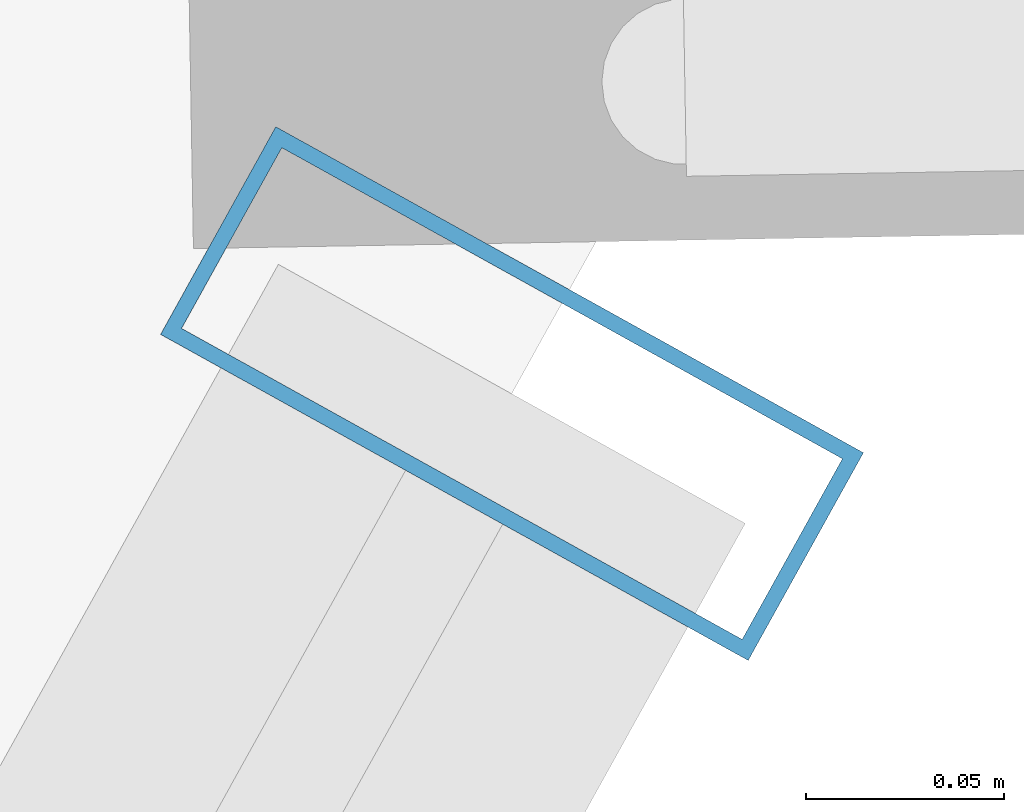
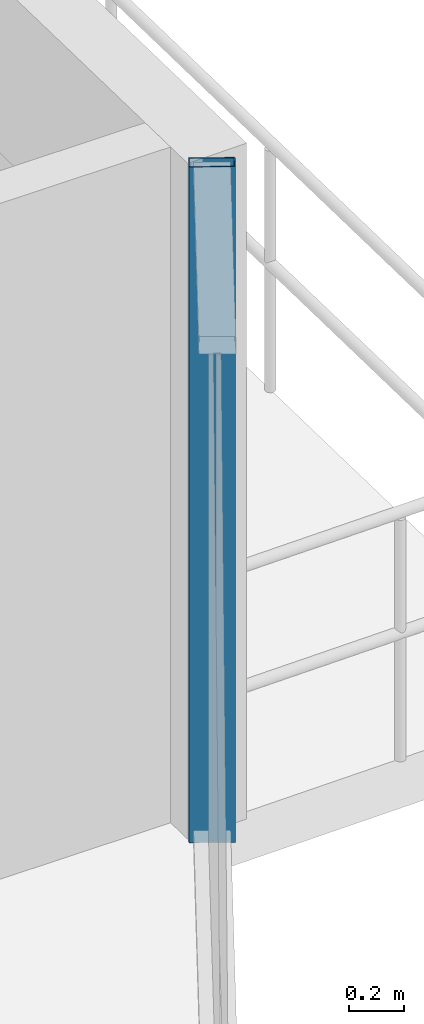
# One storey, part 20 of 39: 1 member, 1 element without a shape of its own.
"""IFC4 building model written with IfcOpenShell, lengths in metres."""

from ifc_helpers import new_model, si_unit, direction, frame, origin, origin_2d, place, context, subcontext, project, spatial, hollow_rectangle, extrude, source, transform, mapped, material, layer, layer_set, material_profile, profile_set, type_object, element, aggregate, save


model = new_model("IFC4")

# Units and contexts
model_context = context("Model", 3, precision=1e-05, world=origin(), true_north=direction((0.0, 1.0)))
body_context = subcontext(model_context, "Body", "Model", "MODEL_VIEW")
ifc_project = project(units=[si_unit("LENGTHUNIT", "METRE"), si_unit("AREAUNIT", "SQUARE_METRE"), si_unit("VOLUMEUNIT", "CUBIC_METRE"), si_unit("PLANEANGLEUNIT", "RADIAN"), si_unit("MASSUNIT", "GRAM", prefix="KILO")], contexts=[model_context])

# Site, building, storey
site_placement = place(None, origin())
site = spatial("IfcSite", under=ifc_project, at=site_placement, CompositionType="ELEMENT")
building_placement = place(site_placement, origin())
building = spatial("IfcBuilding", under=site, at=building_placement, Name="Veraguas Prism Commons", CompositionType="ELEMENT")
storey_placement = place(building_placement, frame((0.0, 0.0, 27.300048828125)))
storey = spatial("IfcBuildingStorey", under=building, at=storey_placement, Name="L06", CompositionType="ELEMENT", Elevation=27.300048828125)

# Curtain wall, member
ifc_material = material(Name="Anodised aluminium EN AW-6063 T6", Category="aluminium")
ifc_layer = layer(ifc_material, 0.169921875, Name="Unitised Flush Curtain Wall Zone 1", Category="aluminium")
ifc_layer_set = layer_set([ifc_layer], Name="Anodised aluminium EN AW-6063 T6")
curtain_wall_type = type_object("IfcCurtainWallType", Name="Unitised Flush Curtain Wall Zone 1", PredefinedType="NOTDEFINED", material=ifc_layer_set)
curtain_wall_placement = place(storey_placement, origin())
curtain_wall = element("IfcCurtainWall", 1, at=curtain_wall_placement, inside=storey, type_object=curtain_wall_type, Name="Tower Facade Curtain Wall L06-F6", PredefinedType="NOTDEFINED")
ifc_material_profile = material_profile(ifc_material, hollow_rectangle(XDim=0.06005859375, YDim=0.169921875, WallThickness=0.00390625, at=origin_2d()), Name="AL60X170X4")
ifc_profile_set = profile_set([ifc_material_profile], Name="Anodised aluminium EN AW-6063 T6")
member_type = type_object("IfcMemberType", Name="Curtain Wall Mullion Lower AL 60x170x4", PredefinedType="MULLION", material=ifc_profile_set)
shared_shape = source(origin(), body_context, "Body", "SweptSolid", [
    extrude(hollow_rectangle(XDim=0.06005859375, YDim=0.169921875, WallThickness=0.00390625, at=origin_2d()), origin(), (0.0, 0.0, 1.0), 3.0),
])
member_placement = place(storey_placement, frame((46.6923828125, 22.059814453125, 0.0), z_axis=(0.0, 0.0, 1.0), x_axis=(0.485116416779, 0.874449576689, 0.0)))
member = element("IfcMember", 2, at=member_placement, type_object=member_type, Name="CW-Z1 Mullion 5", PredefinedType="MULLION", context=body_context, shape_type="MappedRepresentation", body=[
    mapped(shared_shape, transform((0.0, 0.0, 0.0), scale=1.0)),
])
aggregate(curtain_wall, [member])

save(model, "model.ifc")
